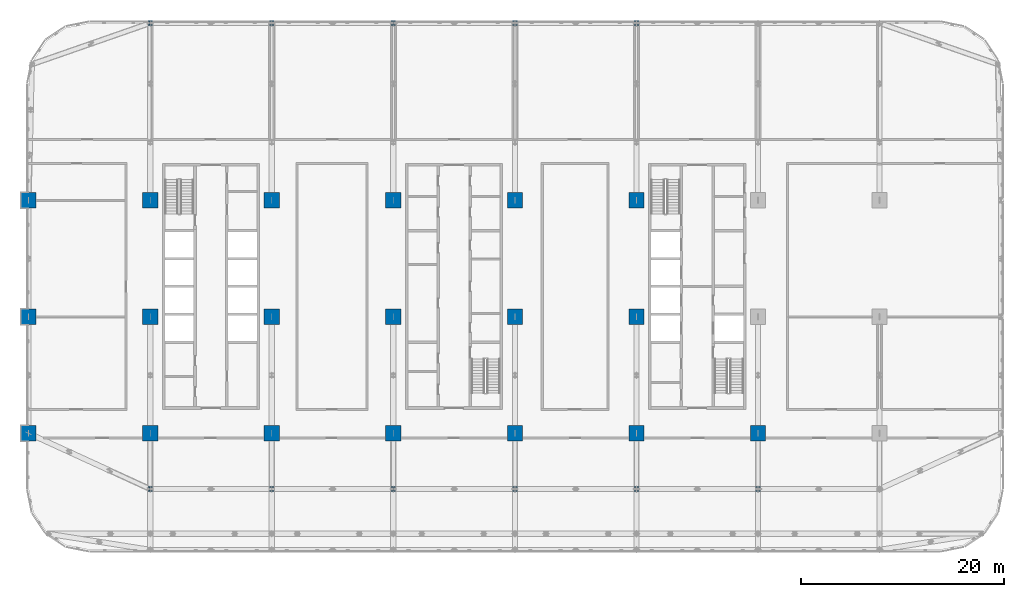
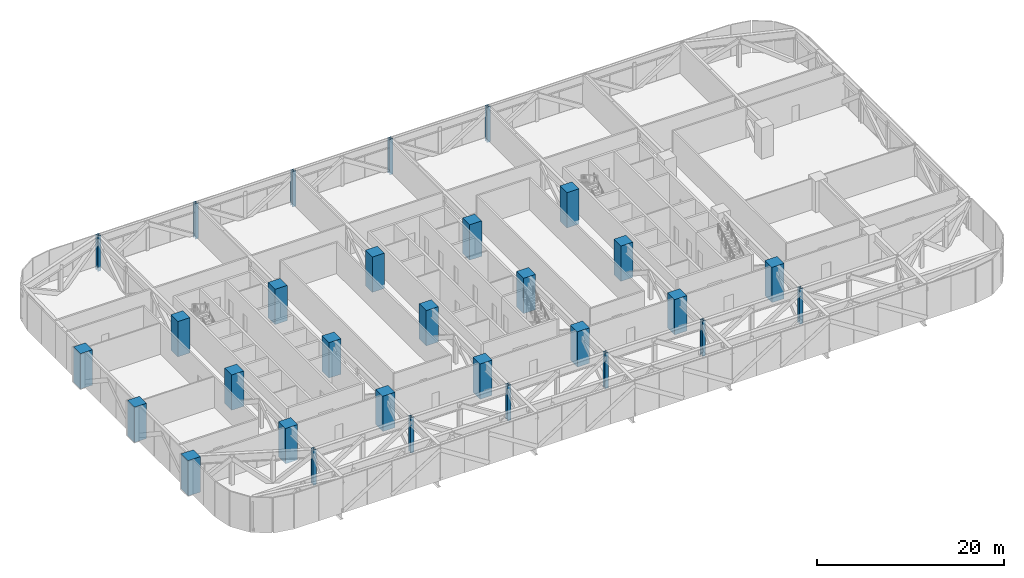
# One storey, part 1 of 26: 30 columns.
"""IFC4 building model written with IfcOpenShell, lengths in metres."""

from ifc_helpers import new_model, si_unit, direction, frame, origin, origin_2d, place, context, subcontext, project, spatial, rectangle, i_section, extrude, material, material_profile, profile_set, type_object, element, save


model = new_model("IFC4")

# Units and contexts
model_context = context("Model", 3, precision=1e-05, world=origin(), true_north=direction((0.0, 1.0)))
body_context = subcontext(model_context, "Body", "Model", "MODEL_VIEW")
ifc_project = project(units=[si_unit("LENGTHUNIT", "METRE"), si_unit("AREAUNIT", "SQUARE_METRE"), si_unit("VOLUMEUNIT", "CUBIC_METRE"), si_unit("PLANEANGLEUNIT", "RADIAN"), si_unit("MASSUNIT", "GRAM", prefix="KILO")], contexts=[model_context])

# Site, building, storey
site_placement = place(None, origin())
site = spatial("IfcSite", under=ifc_project, at=site_placement, CompositionType="ELEMENT")
building_placement = place(site_placement, origin())
building = spatial("IfcBuilding", under=site, at=building_placement, Name="Mahtab Terrace Research Tower", CompositionType="ELEMENT")
storey_placement = place(building_placement, frame((0.0, 0.0, 80.39990234375)))
storey = spatial("IfcBuildingStorey", under=building, at=storey_placement, Name="L18", CompositionType="ELEMENT", Elevation=80.39990234375)

# Columns
ifc_material_1 = material(Name="Concrete C70/85", Category="concrete")
ifc_material_profile_1 = material_profile(ifc_material_1, rectangle(XDim=1.5, YDim=1.5, at=origin_2d()), Name="RC column 1500x1500")
ifc_profile_set_1 = profile_set([ifc_material_profile_1], Name="Concrete C70/85")
column_type_1 = type_object("IfcColumnType", Name="RC column 1500x1500", PredefinedType="COLUMN", material=ifc_profile_set_1)
for number, where, z_axis, x_axis, name in (
    (1, (-42.0, -11.5, -0.5498046875), (0.0, 0.0, 1.0), (1.0, 0.0, 0.0), "Column RC-1A L18"),
    (2, (-42.0, 0.0, -0.5498046875), (0.0, 0.0, 1.0), (1.0, 0.0, 0.0), "Column RC-1B L18"),
    (3, (-42.0, 11.5, -0.5498046875), (0.0, 0.0, 1.0), (1.0, 0.0, 0.0), "Column RC-1C L18"),
    (4, (-30.0, -11.5, -0.5498046875), (0.0, 0.0, 1.0), (1.0, 0.0, 0.0), "Column RC-2A L18"),
    (5, (-30.0, 0.0, -0.5498046875), (0.0, 0.0, 1.0), (1.0, 0.0, 0.0), "Column RC-2B L18"),
    (6, (-30.0, 11.5, -0.5498046875), (0.0, 0.0, 1.0), (1.0, 0.0, 0.0), "Column RC-2C L18"),
    (7, (-18.0, -11.5, -0.5498046875), (0.0, 0.0, 1.0), (1.0, 0.0, 0.0), "Column RC-3A L18"),
    (8, (-18.0, 0.0, -0.5498046875), (0.0, 0.0, 1.0), (1.0, 0.0, 0.0), "Column RC-3B L18"),
    (9, (-18.0, 11.5, -0.5498046875), (0.0, 0.0, 1.0), (1.0, 0.0, 0.0), "Column RC-3C L18"),
    (10, (-6.0, -11.5, -0.5498046875), (0.0, 0.0, 1.0), (1.0, 0.0, 0.0), "Column RC-4A L18"),
    (11, (-6.0, 0.0, -0.5498046875), (0.0, 0.0, 1.0), (1.0, 0.0, 0.0), "Column RC-4B L18"),
    (12, (-6.0, 11.5, -0.5498046875), (0.0, 0.0, 1.0), (1.0, 0.0, 0.0), "Column RC-4C L18"),
    (13, (6.0, -11.5, -0.5498046875), (0.0, 0.0, 1.0), (1.0, 0.0, 0.0), "Column RC-5A L18"),
    (14, (6.0, 0.0, -0.5498046875), (0.0, 0.0, 1.0), (1.0, 0.0, 0.0), "Column RC-5B L18"),
    (15, (6.0, 11.5, -0.5498046875), (0.0, 0.0, 1.0), (1.0, 0.0, 0.0), "Column RC-5C L18"),
    (16, (18.0, -11.5, -0.5498046875), (0.0, 0.0, 1.0), (1.0, 0.0, 0.0), "Column RC-6A L18"),
    (17, (18.0, 0.0, -0.5498046875), (0.0, 0.0, 1.0), (1.0, 0.0, 0.0), "Column RC-6B L18"),
    (18, (18.0, 11.5, -0.5498046875), (0.0, 0.0, 1.0), (1.0, 0.0, 0.0), "Column RC-6C L18"),
    (19, (30.0, -11.5, -0.5498046875), (0.0, 0.0, 1.0), (1.0, 0.0, 0.0), "Column RC-7A L18"),
):
    element("IfcColumn", number, at=place(storey_placement, frame(where, z_axis=z_axis, x_axis=x_axis)), inside=storey, type_object=column_type_1, Name=name, PredefinedType="COLUMN", context=body_context, shape_type="SweptSolid", body=[
        extrude(rectangle(XDim=1.5, YDim=1.5, at=origin_2d()), origin(), (0.0, 0.0, 1.0), 4.60986328125),
    ])
ifc_material_2 = material(Name="Steel ASTM A992 Gr 50", Category="steel")
ifc_material_profile_2 = material_profile(ifc_material_2, i_section(OverallWidth=0.419189453125, OverallDepth=0.45458984375, WebThickness=0.042236328125, FlangeThickness=0.067626953125, at=origin_2d()), Name="W14X370")
ifc_profile_set_2 = profile_set([ifc_material_profile_2], Name="Steel ASTM A992 Gr 50")
column_type_2 = type_object("IfcColumnType", Name="W14x370 column CS14370", PredefinedType="COLUMN", material=ifc_profile_set_2)
for number, where, z_axis, x_axis, name in (
    (20, (18.0, 29.0, -0.5498046875), (0.0, 0.0, 1.0), (1.0, 0.0, 0.0), "Column SC-033 L18"),
    (21, (6.0, 29.0, -0.5498046875), (0.0, 0.0, 1.0), (1.0, 0.0, 0.0), "Column SC-034 L18"),
    (22, (-6.0, 29.0, -0.5498046875), (0.0, 0.0, 1.0), (1.0, 0.0, 0.0), "Column SC-035 L18"),
    (23, (-18.0, 29.0, -0.5498046875), (0.0, 0.0, 1.0), (1.0, 0.0, 0.0), "Column SC-036 L18"),
    (24, (-30.0, 29.0, -0.5498046875), (0.0, 0.0, 1.0), (1.0, 0.0, 0.0), "Column SC-037 L18"),
    (25, (-30.0, -17.0, -0.5498046875), (0.0, 0.0, 1.0), (1.0, 0.0, 0.0), "Column SC-039 L18"),
    (26, (-18.0, -17.0, -0.5498046875), (0.0, 0.0, 1.0), (1.0, 0.0, 0.0), "Column SC-040 L18"),
    (27, (-6.0, -17.0, -0.5498046875), (0.0, 0.0, 1.0), (1.0, 0.0, 0.0), "Column SC-041 L18"),
    (28, (6.0, -17.0, -0.5498046875), (0.0, 0.0, 1.0), (1.0, 0.0, 0.0), "Column SC-042 L18"),
    (29, (18.0, -17.0, -0.5498046875), (0.0, 0.0, 1.0), (1.0, 0.0, 0.0), "Column SC-043 L18"),
    (30, (30.0, -17.0, -0.5498046875), (0.0, 0.0, 1.0), (1.0, 0.0, 0.0), "Column SC-044 L18"),
):
    element("IfcColumn", number, at=place(storey_placement, frame(where, z_axis=z_axis, x_axis=x_axis)), inside=storey, type_object=column_type_2, Name=name, PredefinedType="COLUMN", context=body_context, shape_type="SweptSolid", body=[
        extrude(i_section(OverallWidth=0.419189453125, OverallDepth=0.45458984375, WebThickness=0.042236328125, FlangeThickness=0.067626953125, at=origin_2d()), origin(), (0.0, 0.0, 1.0), 4.60986328125),
    ])

save(model, "model.ifc")
